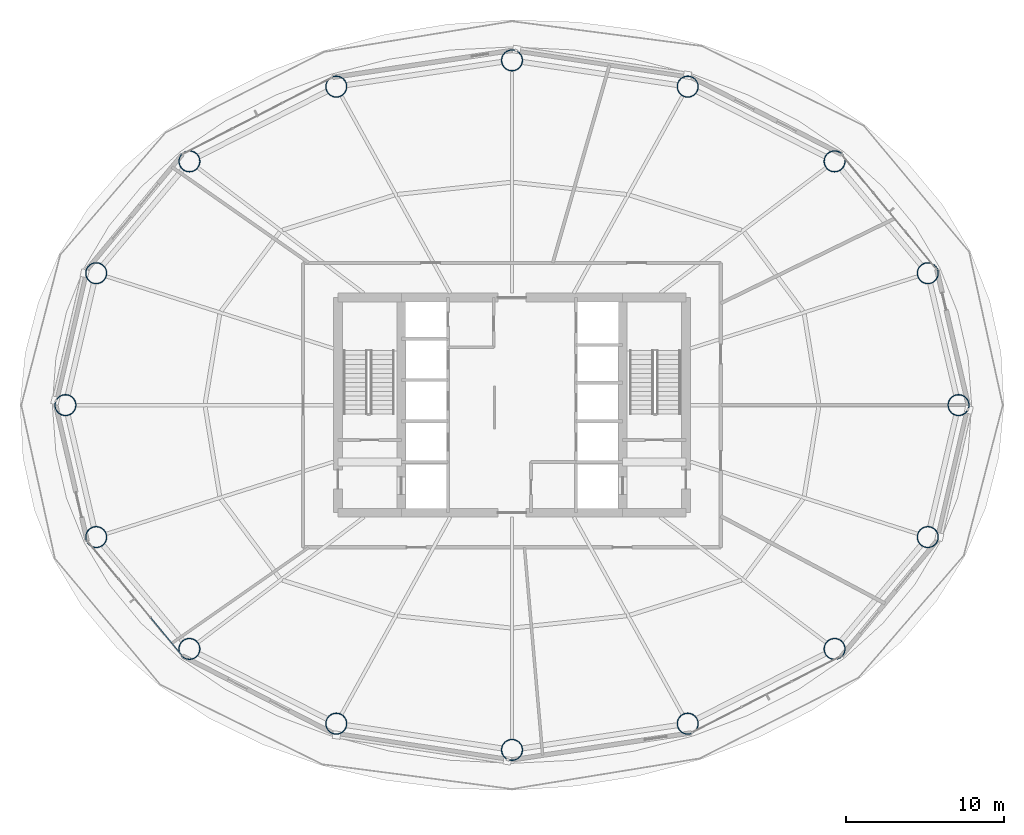
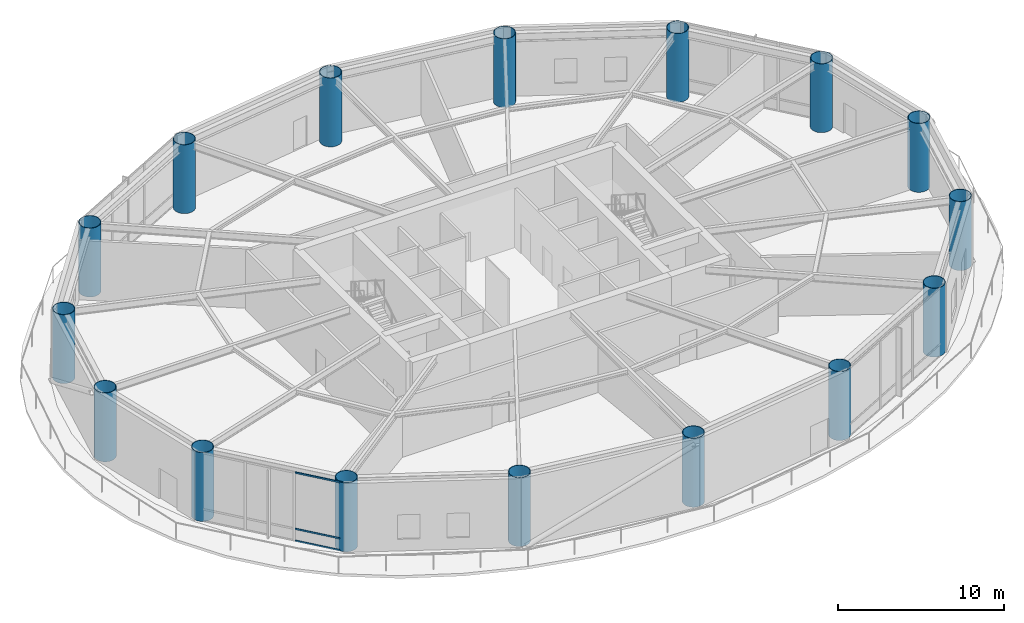
# One storey, part 1 of 25: 16 columns, 3 members, 1 element without a shape of its own.
"""IFC4 building model written with IfcOpenShell, lengths in metres."""

from ifc_helpers import new_model, si_unit, direction, frame, origin, origin_2d, place, context, subcontext, project, spatial, hollow_rectangle, hollow_circle, extrude, material, layer, layer_set, material_profile, profile_set, type_object, element, aggregate, save


model = new_model("IFC4")

# Units and contexts
model_context = context("Model", 3, precision=1e-05, world=origin(), true_north=direction((0.0, 1.0)))
body_context = subcontext(model_context, "Body", "Model", "MODEL_VIEW")
ifc_project = project(units=[si_unit("LENGTHUNIT", "METRE"), si_unit("AREAUNIT", "SQUARE_METRE"), si_unit("VOLUMEUNIT", "CUBIC_METRE"), si_unit("PLANEANGLEUNIT", "RADIAN"), si_unit("MASSUNIT", "GRAM", prefix="KILO")], contexts=[model_context])

# Site, building, storey
site_placement = place(None, origin())
site = spatial("IfcSite", under=ifc_project, at=site_placement, CompositionType="ELEMENT")
building_placement = place(site_placement, origin())
building = spatial("IfcBuilding", under=site, at=building_placement, Name="Sarneth Arch Tower", CompositionType="ELEMENT")
storey_placement = place(building_placement, frame((0.0, 0.0, 134.39990234375)))
storey = spatial("IfcBuildingStorey", under=building, at=storey_placement, Name="L34", CompositionType="ELEMENT", Elevation=134.39990234375)

# Columns
ifc_material_1 = material(Name="Steel S355", Category="steel")
ifc_material_profile_1 = material_profile(ifc_material_1, hollow_circle(Radius=0.675048828125, WallThickness=0.035888671875, at=origin_2d()), Name="CHS1350x36")
ifc_profile_set_1 = profile_set([ifc_material_profile_1], Name="Steel S355")
column_type = type_object("IfcColumnType", Name="COL-MEGA-1350", PredefinedType="COLUMN", material=ifc_profile_set_1)
for number, where, z_axis, x_axis, name in (
    (1, (76.236572265625, 42.0, 0.0), (0.0, 0.0, 1.0), (1.0, 0.0, 0.0), "L34 Perimeter mega-column M01"),
    (2, (74.291259765625, 50.342529296875, 0.0), (0.0, 0.0, 1.0), (1.0, 0.0, 0.0), "L34 Perimeter mega-column M02"),
    (3, (68.397705078125, 57.4150390625, 0.0), (0.0, 0.0, 1.0), (1.0, 0.0, 0.0), "L34 Perimeter mega-column M03"),
    (4, (59.1103515625, 62.140625, 0.0), (0.0, 0.0, 1.0), (1.0, 0.0, 0.0), "L34 Perimeter mega-column M04"),
    (5, (48.0, 63.800048828125, 0.0), (0.0, 0.0, 1.0), (1.0, 0.0, 0.0), "L34 Perimeter mega-column M05"),
    (6, (36.8896484375, 62.140625, 0.0), (0.0, 0.0, 1.0), (1.0, 0.0, 0.0), "L34 Perimeter mega-column M06"),
    (7, (27.602294921875, 57.4150390625, 0.0), (0.0, 0.0, 1.0), (1.0, 0.0, 0.0), "L34 Perimeter mega-column M07"),
    (8, (21.708740234375, 50.342529296875, 0.0), (0.0, 0.0, 1.0), (1.0, 0.0, 0.0), "L34 Perimeter mega-column M08"),
    (9, (19.763427734375, 42.0, 0.0), (0.0, 0.0, 1.0), (1.0, 0.0, 0.0), "L34 Perimeter mega-column M09"),
    (10, (21.708740234375, 33.657470703125, 0.0), (0.0, 0.0, 1.0), (1.0, 0.0, 0.0), "L34 Perimeter mega-column M10"),
    (11, (27.602294921875, 26.5849609375, 0.0), (0.0, 0.0, 1.0), (1.0, 0.0, 0.0), "L34 Perimeter mega-column M11"),
    (12, (36.8896484375, 21.859375, 0.0), (0.0, 0.0, 1.0), (1.0, 0.0, 0.0), "L34 Perimeter mega-column M12"),
    (13, (48.0, 20.199951171875, 0.0), (0.0, 0.0, 1.0), (1.0, 0.0, 0.0), "L34 Perimeter mega-column M13"),
    (14, (59.1103515625, 21.859375, 0.0), (0.0, 0.0, 1.0), (1.0, 0.0, 0.0), "L34 Perimeter mega-column M14"),
    (15, (68.397705078125, 26.5849609375, 0.0), (0.0, 0.0, 1.0), (1.0, 0.0, 0.0), "L34 Perimeter mega-column M15"),
    (16, (74.291259765625, 33.657470703125, 0.0), (0.0, 0.0, 1.0), (1.0, 0.0, 0.0), "L34 Perimeter mega-column M16"),
):
    element("IfcColumn", number, at=place(storey_placement, frame(where, z_axis=z_axis, x_axis=x_axis)), inside=storey, type_object=column_type, Name=name, PredefinedType="COLUMN", context=body_context, shape_type="SweptSolid", body=[
        extrude(hollow_circle(Radius=0.675048828125, WallThickness=0.035888671875, at=origin_2d()), origin(), (0.0, 0.0, 1.0), 5.050048828125),
    ])

# Curtain wall, members
ifc_material_2 = material(Name="Anodised aluminium Type AA25 and solar-control low-e laminated IGU", Category="aluminium")
ifc_layer = layer(ifc_material_2, 0.159912109375)
ifc_layer_set = layer_set([ifc_layer], Name="Anodised aluminium Type AA25 and solar-control low-e laminated IGU")
curtain_wall_type = type_object("IfcCurtainWallType", Name="CW-HOTEL-MID", PredefinedType="NOTDEFINED", material=ifc_layer_set)
curtain_wall_placement = place(storey_placement, origin())
curtain_wall = element("IfcCurtainWall", 17, at=curtain_wall_placement, inside=storey, type_object=curtain_wall_type, Name="L34 Unitised curtain wall facet 10", PredefinedType="NOTDEFINED")
ifc_material_3 = material(Name="Anodised Aluminium 6063-T6", Category="aluminium")
ifc_material_profile_2 = material_profile(ifc_material_3, hollow_rectangle(XDim=0.06005859375, YDim=0.1201171875, WallThickness=0.00390625, at=origin_2d()), Name="AL-TRAN-120x60x4")
ifc_profile_set_2 = profile_set([ifc_material_profile_2], Name="Anodised Aluminium 6063-T6")
member_type = type_object("IfcMemberType", Name="CW-TRANSOM", PredefinedType="USERDEFINED", material=ifc_profile_set_2)
member_1_placement = place(storey_placement, frame((25.171875, 28.5419921875, 0.030029296875), z_axis=(0.637566080343, -0.770395673142, 0.0), x_axis=(0.770395673142, 0.637566080343, 0.0)))
member_1 = element("IfcMember", 18, at=member_1_placement, type_object=member_type, Name="CW-SYS-4 transom 3.1", ObjectType="TRANSOM", PredefinedType="USERDEFINED", context=body_context, shape_type="SweptSolid", body=[
    extrude(hollow_rectangle(XDim=0.06005859375, YDim=0.1201171875, WallThickness=0.00390625, at=origin_2d()), origin(), (0.0, 0.0, 1.0), 3.058349609375),
])
member_2_placement = place(storey_placement, frame((25.171875, 28.5419921875, 0.900146484375), z_axis=(0.637566080343, -0.770395673142, 0.0), x_axis=(0.770395673142, 0.637566080343, 0.0)))
member_2 = element("IfcMember", 19, at=member_2_placement, type_object=member_type, Name="CW-SYS-4 transom 3.2", ObjectType="TRANSOM", PredefinedType="USERDEFINED", context=body_context, shape_type="SweptSolid", body=[
    extrude(hollow_rectangle(XDim=0.06005859375, YDim=0.1201171875, WallThickness=0.00390625, at=origin_2d()), origin(), (0.0, 0.0, 1.0), 3.058349609375),
])
member_3_placement = place(storey_placement, frame((25.171875, 28.5419921875, 5.02001953125), z_axis=(0.637566080343, -0.770395673142, 0.0), x_axis=(0.770395673142, 0.637566080343, 0.0)))
member_3 = element("IfcMember", 20, at=member_3_placement, type_object=member_type, Name="CW-SYS-4 transom 3.3", ObjectType="TRANSOM", PredefinedType="USERDEFINED", context=body_context, shape_type="SweptSolid", body=[
    extrude(hollow_rectangle(XDim=0.06005859375, YDim=0.1201171875, WallThickness=0.00390625, at=origin_2d()), origin(), (0.0, 0.0, 1.0), 3.058349609375),
])
aggregate(curtain_wall, [member_1, member_2, member_3])

save(model, "model.ifc")
